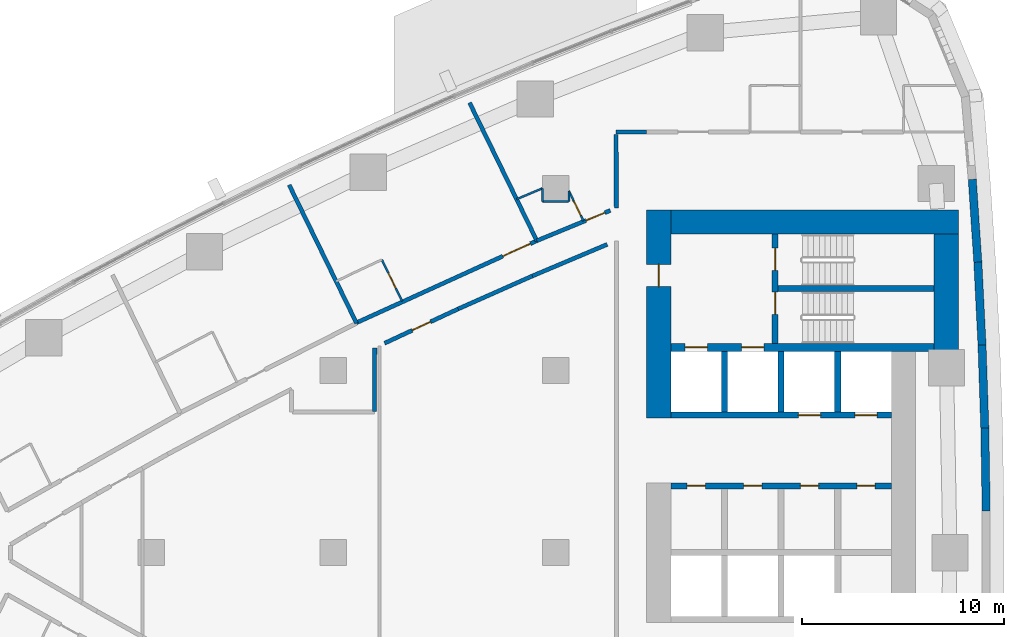
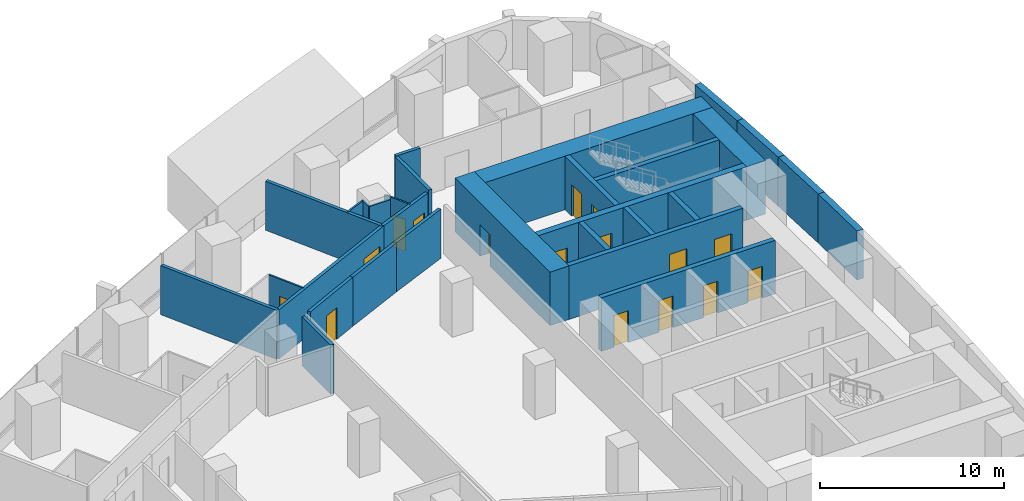
# One storey, part 12 of 18: 31 walls, 16 doors, 16 openings.
"""IFC4 building model written with IfcOpenShell, lengths in metres."""

from ifc_helpers import new_model, si_unit, direction, frame, frame_2d, origin, place, context, subcontext, project, spatial, polyline, rectangle, outline, extrude, material, layer, layer_set, type_object, element, fill, save


model = new_model("IFC4")

# Units and contexts
model_context = context("Model", 3, precision=1e-05, world=origin(), true_north=direction((0.0, 1.0)))
body_context = subcontext(model_context, "Body", "Model", "MODEL_VIEW")
ifc_project = project(units=[si_unit("LENGTHUNIT", "METRE"), si_unit("AREAUNIT", "SQUARE_METRE"), si_unit("VOLUMEUNIT", "CUBIC_METRE"), si_unit("PLANEANGLEUNIT", "RADIAN"), si_unit("MASSUNIT", "GRAM", prefix="KILO")], contexts=[model_context])

# Site, building, storey
site_placement = place(None, origin())
site = spatial("IfcSite", under=ifc_project, at=site_placement, CompositionType="ELEMENT")
building_placement = place(site_placement, origin())
building = spatial("IfcBuilding", under=site, at=building_placement, Name="Ostrand Prow Hotel Tower", CompositionType="ELEMENT")
storey_placement = place(building_placement, frame((0.0, 0.0, 57.35009765625)))
storey = spatial("IfcBuildingStorey", under=building, at=storey_placement, Name="L12", CompositionType="ELEMENT", Elevation=57.35009765625)

# Wall, opening, door
ifc_material_1 = material(Name="Concrete C80/95", Category="concrete")
ifc_layer_1 = layer(ifc_material_1, 1.199951171875)
ifc_layer_set_1 = layer_set([ifc_layer_1], Name="Concrete C80/95")
wall_type_1 = type_object("IfcWallType", Name="Core wall 1200 C80/95", PredefinedType="SHEAR", material=ifc_layer_set_1)
wall_1_placement = place(storey_placement, frame((50.10009765625, 6.64990234375, 0.0), z_axis=(0.0, 0.0, 1.0), x_axis=(0.0, 1.0, 0.0)))
wall_1 = element("IfcWall", 1, at=wall_1_placement, inside=storey, type_object=wall_type_1, Name="Core wall CW-W-N", PredefinedType="SHEAR", context=body_context, shape_type="SweptSolid", body=[
    extrude(rectangle(XDim=10.300048828125, YDim=1.199951171875, at=frame_2d((5.14990234375, 0.0))), origin(), (0.0, 0.0, 1.0), 3.5498046875),
])
opening_1_placement = place(wall_1_placement, frame((6.5, 0.0, 0.0)))
opening_1 = element("IfcOpeningElement", 2, at=opening_1_placement, cuts=wall_1, Name="Opening FD1", PredefinedType="OPENING", context=body_context, shape_type="SweptSolid", body=[
    extrude(rectangle(XDim=1.10009765625, YDim=2.10009765625, at=frame_2d((0.550048828125, 1.050048828125))), frame((0.0, 0.60986328125, 0.0), z_axis=(0.0, -1.0, 0.0), x_axis=(1.0, 0.0, 0.0)), (0.0, 0.0, 1.0), 1.219970703125),
])
ifc_material_2 = material(Name="Steel fire door", Category="steel")
door_type_1 = type_object("IfcDoorType", Name="Fire door 1100 EI120", OperationType="SINGLE_SWING_RIGHT", PredefinedType="DOOR", material=ifc_material_2)
door_1_placement = place(opening_1_placement, origin())
door_1 = element("IfcDoor", 3, at=door_1_placement, inside=storey, type_object=door_type_1, Name="FIRE DOOR", OperationType="SINGLE_SWING_RIGHT", OverallHeight=2.10009765625, OverallWidth=1.10009765625, PredefinedType="DOOR", context=body_context, shape_type="SweptSolid", body=[
    extrude(rectangle(XDim=1.10009765625, YDim=2.10009765625, at=frame_2d((0.550048828125, 1.050048828125))), frame((0.0, 0.02490234375, 0.0), z_axis=(0.0, -1.0, 0.0), x_axis=(1.0, 0.0, 0.0)), (0.0, 0.0, 1.0), 0.050048828125),
])
fill(opening_1, door_1)

# Walls
wall_2_placement = place(storey_placement, frame((50.699951171875, 16.35009765625, 0.0), z_axis=(0.0, 0.0, 1.0), x_axis=(1.0, 0.0, 0.0)))
element("IfcWall", 4, at=wall_2_placement, inside=storey, type_object=wall_type_1, Name="Core wall CW-N", PredefinedType="SHEAR", context=body_context, shape_type="SweptSolid", body=[
    extrude(rectangle(XDim=14.219970703125, YDim=1.199951171875, at=frame_2d((7.10986328125, 0.0))), origin(), (0.0, 0.0, 1.0), 3.5498046875),
])
wall_3_placement = place(storey_placement, frame((64.320068359375, 9.949951171875, 0.0), z_axis=(0.0, 0.0, 1.0), x_axis=(0.0, 1.0, 0.0)))
element("IfcWall", 5, at=wall_3_placement, inside=storey, type_object=wall_type_1, Name="Core wall CW-E-N", PredefinedType="SHEAR", context=body_context, shape_type="SweptSolid", body=[
    extrude(rectangle(XDim=5.800048828125, YDim=1.199951171875, at=frame_2d((2.89990234375, 0.0))), origin(), (0.0, 0.0, 1.0), 3.5498046875),
])

# Wall, openings, doors
ifc_material_3 = material(Name="Concrete C80/95", Category="concrete")
ifc_layer_2 = layer(ifc_material_3, 0.300048828125)
ifc_layer_set_2 = layer_set([ifc_layer_2], Name="Concrete C80/95")
wall_type_2 = type_object("IfcWallType", Name="Core wall 300 C80/95", PredefinedType="SHEAR", material=ifc_layer_set_2)
wall_4_placement = place(storey_placement, frame((50.699951171875, 3.300048828125, 0.0), z_axis=(0.0, 0.0, 1.0), x_axis=(1.0, 0.0, 0.0)))
wall_4 = element("IfcWall", 6, at=wall_4_placement, inside=storey, type_object=wall_type_2, Name="Core wall PW-L1-N", PredefinedType="SHEAR", context=body_context, shape_type="SweptSolid", body=[
    extrude(rectangle(XDim=10.900146484375, YDim=0.300048828125, at=frame_2d((5.4501953125, 0.0))), origin(), (0.0, 0.0, 1.0), 3.5498046875),
])
opening_2_placement = place(wall_4_placement, frame((0.800048828125, 0.0, 0.0)))
opening_2 = element("IfcOpeningElement", 7, at=opening_2_placement, cuts=wall_4, Name="Opening FD2", PredefinedType="OPENING", context=body_context, shape_type="SweptSolid", body=[
    extrude(rectangle(XDim=0.89990234375, YDim=2.10009765625, at=frame_2d((0.449951171875, 1.050048828125))), frame((0.0, 0.159912109375, 0.0), z_axis=(0.0, -1.0, 0.0), x_axis=(1.0, 0.0, 0.0)), (0.0, 0.0, 1.0), 0.320068359375),
])
opening_3_placement = place(wall_4_placement, frame((3.60009765625, 0.0, 0.0)))
opening_3 = element("IfcOpeningElement", 8, at=opening_3_placement, cuts=wall_4, Name="Opening FD2", PredefinedType="OPENING", context=body_context, shape_type="SweptSolid", body=[
    extrude(rectangle(XDim=0.89990234375, YDim=2.10009765625, at=frame_2d((0.449951171875, 1.050048828125))), frame((0.0, 0.159912109375, 0.0), z_axis=(0.0, -1.0, 0.0), x_axis=(1.0, 0.0, 0.0)), (0.0, 0.0, 1.0), 0.320068359375),
])
opening_4_placement = place(wall_4_placement, frame((6.39990234375, 0.0, 0.0)))
opening_4 = element("IfcOpeningElement", 9, at=opening_4_placement, cuts=wall_4, Name="Opening FD2", PredefinedType="OPENING", context=body_context, shape_type="SweptSolid", body=[
    extrude(rectangle(XDim=0.89990234375, YDim=2.10009765625, at=frame_2d((0.449951171875, 1.050048828125))), frame((0.0, 0.159912109375, 0.0), z_axis=(0.0, -1.0, 0.0), x_axis=(1.0, 0.0, 0.0)), (0.0, 0.0, 1.0), 0.320068359375),
])
opening_5_placement = place(wall_4_placement, frame((9.199951171875, 0.0, 0.0)))
opening_5 = element("IfcOpeningElement", 10, at=opening_5_placement, cuts=wall_4, Name="Opening FD2", PredefinedType="OPENING", context=body_context, shape_type="SweptSolid", body=[
    extrude(rectangle(XDim=0.89990234375, YDim=2.10009765625, at=frame_2d((0.449951171875, 1.050048828125))), frame((0.0, 0.159912109375, 0.0), z_axis=(0.0, -1.0, 0.0), x_axis=(1.0, 0.0, 0.0)), (0.0, 0.0, 1.0), 0.320068359375),
])
ifc_material_4 = material(Name="Steel fire door", Category="steel")
door_type_2 = type_object("IfcDoorType", Name="Fire door 900 EI120", OperationType="SINGLE_SWING_LEFT", PredefinedType="DOOR", material=ifc_material_4)
door_2_placement = place(opening_2_placement, origin())
door_2 = element("IfcDoor", 11, at=door_2_placement, inside=storey, type_object=door_type_2, Name="DOOR", OperationType="SINGLE_SWING_LEFT", OverallHeight=2.10009765625, OverallWidth=0.89990234375, PredefinedType="DOOR", context=body_context, shape_type="SweptSolid", body=[
    extrude(rectangle(XDim=0.89990234375, YDim=2.10009765625, at=frame_2d((0.449951171875, 1.050048828125))), frame((0.0, 0.02490234375, 0.0), z_axis=(0.0, -1.0, 0.0), x_axis=(1.0, 0.0, 0.0)), (0.0, 0.0, 1.0), 0.050048828125),
])
fill(opening_2, door_2)
door_3_placement = place(opening_3_placement, origin())
door_3 = element("IfcDoor", 12, at=door_3_placement, inside=storey, type_object=door_type_2, Name="DOOR", OperationType="SINGLE_SWING_LEFT", OverallHeight=2.10009765625, OverallWidth=0.89990234375, PredefinedType="DOOR", context=body_context, shape_type="SweptSolid", body=[
    extrude(rectangle(XDim=0.89990234375, YDim=2.10009765625, at=frame_2d((0.449951171875, 1.050048828125))), frame((0.0, 0.02490234375, 0.0), z_axis=(0.0, -1.0, 0.0), x_axis=(1.0, 0.0, 0.0)), (0.0, 0.0, 1.0), 0.050048828125),
])
fill(opening_3, door_3)
door_4_placement = place(opening_4_placement, origin())
door_4 = element("IfcDoor", 13, at=door_4_placement, inside=storey, type_object=door_type_2, Name="DOOR", OperationType="SINGLE_SWING_LEFT", OverallHeight=2.10009765625, OverallWidth=0.89990234375, PredefinedType="DOOR", context=body_context, shape_type="SweptSolid", body=[
    extrude(rectangle(XDim=0.89990234375, YDim=2.10009765625, at=frame_2d((0.449951171875, 1.050048828125))), frame((0.0, 0.02490234375, 0.0), z_axis=(0.0, -1.0, 0.0), x_axis=(1.0, 0.0, 0.0)), (0.0, 0.0, 1.0), 0.050048828125),
])
fill(opening_4, door_4)
door_5_placement = place(opening_5_placement, origin())
door_5 = element("IfcDoor", 14, at=door_5_placement, inside=storey, type_object=door_type_2, Name="DOOR", OperationType="SINGLE_SWING_LEFT", OverallHeight=2.10009765625, OverallWidth=0.89990234375, PredefinedType="DOOR", context=body_context, shape_type="SweptSolid", body=[
    extrude(rectangle(XDim=0.89990234375, YDim=2.10009765625, at=frame_2d((0.449951171875, 1.050048828125))), frame((0.0, 0.02490234375, 0.0), z_axis=(0.0, -1.0, 0.0), x_axis=(1.0, 0.0, 0.0)), (0.0, 0.0, 1.0), 0.050048828125),
])
fill(opening_5, door_5)

wall_5_placement = place(storey_placement, frame((50.699951171875, 6.800048828125, 0.0), z_axis=(0.0, 0.0, 1.0), x_axis=(1.0, 0.0, 0.0)))
wall_5 = element("IfcWall", 15, at=wall_5_placement, inside=storey, type_object=wall_type_2, Name="Core wall PW-L2-N", PredefinedType="SHEAR", context=body_context, shape_type="SweptSolid", body=[
    extrude(rectangle(XDim=10.900146484375, YDim=0.300048828125, at=frame_2d((5.4501953125, 0.0))), origin(), (0.0, 0.0, 1.0), 3.5498046875),
])
opening_6_placement = place(wall_5_placement, frame((6.300048828125, 0.0, 0.0)))
opening_6 = element("IfcOpeningElement", 16, at=opening_6_placement, cuts=wall_5, Name="Opening LD", PredefinedType="OPENING", context=body_context, shape_type="SweptSolid", body=[
    extrude(rectangle(XDim=1.10009765625, YDim=2.10009765625, at=frame_2d((0.550048828125, 1.050048828125))), frame((0.0, 0.159912109375, 0.0), z_axis=(0.0, -1.0, 0.0), x_axis=(1.0, 0.0, 0.0)), (0.0, 0.0, 1.0), 0.320068359375),
])
opening_7_placement = place(wall_5_placement, frame((9.10009765625, 0.0, 0.0)))
opening_7 = element("IfcOpeningElement", 17, at=opening_7_placement, cuts=wall_5, Name="Opening LD", PredefinedType="OPENING", context=body_context, shape_type="SweptSolid", body=[
    extrude(rectangle(XDim=1.10009765625, YDim=2.10009765625, at=frame_2d((0.550048828125, 1.050048828125))), frame((0.0, 0.159912109375, 0.0), z_axis=(0.0, -1.0, 0.0), x_axis=(1.0, 0.0, 0.0)), (0.0, 0.0, 1.0), 0.320068359375),
])
ifc_material_5 = material(Name="Stainless steel door", Category="steel")
door_type_3 = type_object("IfcDoorType", Name="Lift landing door 1100", OperationType="DOUBLE_DOOR_SLIDING", PredefinedType="DOOR", material=ifc_material_5)
door_6_placement = place(opening_6_placement, origin())
door_6 = element("IfcDoor", 18, at=door_6_placement, inside=storey, type_object=door_type_3, Name="LIFT LANDING DOOR", OperationType="DOUBLE_DOOR_SLIDING", OverallHeight=2.10009765625, OverallWidth=1.10009765625, PredefinedType="DOOR", context=body_context, shape_type="SweptSolid", body=[
    extrude(rectangle(XDim=1.10009765625, YDim=2.10009765625, at=frame_2d((0.550048828125, 1.050048828125))), frame((0.0, 0.02490234375, 0.0), z_axis=(0.0, -1.0, 0.0), x_axis=(1.0, 0.0, 0.0)), (0.0, 0.0, 1.0), 0.050048828125),
])
fill(opening_6, door_6)
door_7_placement = place(opening_7_placement, origin())
door_7 = element("IfcDoor", 19, at=door_7_placement, inside=storey, type_object=door_type_3, Name="LIFT LANDING DOOR", OperationType="DOUBLE_DOOR_SLIDING", OverallHeight=2.10009765625, OverallWidth=1.10009765625, PredefinedType="DOOR", context=body_context, shape_type="SweptSolid", body=[
    extrude(rectangle(XDim=1.10009765625, YDim=2.10009765625, at=frame_2d((0.550048828125, 1.050048828125))), frame((0.0, 0.02490234375, 0.0), z_axis=(0.0, -1.0, 0.0), x_axis=(1.0, 0.0, 0.0)), (0.0, 0.0, 1.0), 0.050048828125),
])
fill(opening_7, door_7)

# Walls
for number, where, z_axis, x_axis, name in (
    (20, (53.35009765625, 6.949951171875, 0.0), (0.0, 0.0, 1.0), (0.0, 1.0, 0.0), "Core wall PW-R1-NA"),
    (21, (56.14990234375, 6.949951171875, 0.0), (0.0, 0.0, 1.0), (0.0, 1.0, 0.0), "Core wall PW-R2-NA"),
    (22, (58.949951171875, 6.949951171875, 0.0), (0.0, 0.0, 1.0), (0.0, 1.0, 0.0), "Core wall PW-R3-NA"),
):
    element("IfcWall", number, at=place(storey_placement, frame(where, z_axis=z_axis, x_axis=x_axis)), inside=storey, type_object=wall_type_2, Name=name, PredefinedType="SHEAR", context=body_context, shape_type="SweptSolid", body=[
        extrude(rectangle(XDim=3.0, YDim=0.300048828125, at=frame_2d((1.5, 0.0))), origin(), (0.0, 0.0, 1.0), 3.5498046875),
    ])

# Wall, openings, doors
wall_6_placement = place(storey_placement, frame((55.85009765625, 10.35009765625, 0.0), z_axis=(0.0, 0.0, 1.0), x_axis=(0.0, 1.0, 0.0)))
wall_6 = element("IfcWall", 23, at=wall_6_placement, inside=storey, type_object=wall_type_2, Name="Core wall PW-VN", PredefinedType="SHEAR", context=body_context, shape_type="SweptSolid", body=[
    extrude(rectangle(XDim=5.39990234375, YDim=0.300048828125, at=frame_2d((2.699951171875, 0.0))), origin(), (0.0, 0.0, 1.0), 3.5498046875),
])
opening_8_placement = place(wall_6_placement, frame((1.429931640625, 0.0, 0.0)))
opening_8 = element("IfcOpeningElement", 24, at=opening_8_placement, cuts=wall_6, Name="Opening FD1", PredefinedType="OPENING", context=body_context, shape_type="SweptSolid", body=[
    extrude(rectangle(XDim=1.10009765625, YDim=2.10009765625, at=frame_2d((0.550048828125, 1.050048828125))), frame((0.0, 0.159912109375, 0.0), z_axis=(0.0, -1.0, 0.0), x_axis=(1.0, 0.0, 0.0)), (0.0, 0.0, 1.0), 0.320068359375),
])
opening_9_placement = place(wall_6_placement, frame((3.60009765625, 0.0, 0.0)))
opening_9 = element("IfcOpeningElement", 25, at=opening_9_placement, cuts=wall_6, Name="Opening FD1", PredefinedType="OPENING", context=body_context, shape_type="SweptSolid", body=[
    extrude(rectangle(XDim=1.10009765625, YDim=2.10009765625, at=frame_2d((0.550048828125, 1.050048828125))), frame((0.0, 0.159912109375, 0.0), z_axis=(0.0, -1.0, 0.0), x_axis=(1.0, 0.0, 0.0)), (0.0, 0.0, 1.0), 0.320068359375),
])
door_8_placement = place(opening_8_placement, origin())
door_8 = element("IfcDoor", 26, at=door_8_placement, inside=storey, type_object=door_type_1, Name="FIRE DOOR", OperationType="SINGLE_SWING_RIGHT", OverallHeight=2.10009765625, OverallWidth=1.10009765625, PredefinedType="DOOR", context=body_context, shape_type="SweptSolid", body=[
    extrude(rectangle(XDim=1.10009765625, YDim=2.10009765625, at=frame_2d((0.550048828125, 1.050048828125))), frame((0.0, 0.02490234375, 0.0), z_axis=(0.0, -1.0, 0.0), x_axis=(1.0, 0.0, 0.0)), (0.0, 0.0, 1.0), 0.050048828125),
])
fill(opening_8, door_8)
door_9_placement = place(opening_9_placement, origin())
door_9 = element("IfcDoor", 27, at=door_9_placement, inside=storey, type_object=door_type_1, Name="FIRE DOOR", OperationType="SINGLE_SWING_RIGHT", OverallHeight=2.10009765625, OverallWidth=1.10009765625, PredefinedType="DOOR", context=body_context, shape_type="SweptSolid", body=[
    extrude(rectangle(XDim=1.10009765625, YDim=2.10009765625, at=frame_2d((0.550048828125, 1.050048828125))), frame((0.0, 0.02490234375, 0.0), z_axis=(0.0, -1.0, 0.0), x_axis=(1.0, 0.0, 0.0)), (0.0, 0.0, 1.0), 0.050048828125),
])
fill(opening_9, door_9)

# Wall
wall_7_placement = place(storey_placement, frame((56.0, 13.050048828125, 0.0), z_axis=(0.0, 0.0, 1.0), x_axis=(1.0, 0.0, 0.0)))
element("IfcWall", 28, at=wall_7_placement, inside=storey, type_object=wall_type_2, Name="Core wall PW-ST13", PredefinedType="SHEAR", context=body_context, shape_type="SweptSolid", body=[
    extrude(rectangle(XDim=7.719970703125, YDim=0.300048828125, at=frame_2d((3.85986328125, 0.0))), origin(), (0.0, 0.0, 1.0), 3.5498046875),
])

# Wall, openings, doors
ifc_material_6 = material(Name="Concrete C80/95", Category="concrete")
ifc_layer_3 = layer(ifc_material_6, 0.39990234375)
ifc_layer_set_3 = layer_set([ifc_layer_3], Name="Concrete C80/95")
wall_type_3 = type_object("IfcWallType", Name="Core wall 400 C80/95", PredefinedType="SHEAR", material=ifc_layer_set_3)
wall_8_placement = place(storey_placement, frame((50.699951171875, 10.14990234375, 0.0), z_axis=(0.0, 0.0, 1.0), x_axis=(1.0, 0.0, 0.0)))
wall_8 = element("IfcWall", 29, at=wall_8_placement, inside=storey, type_object=wall_type_3, Name="Core wall PW-BN", PredefinedType="SHEAR", context=body_context, shape_type="SweptSolid", body=[
    extrude(rectangle(XDim=13.02001953125, YDim=0.39990234375, at=frame_2d((6.510009765625, 0.0))), origin(), (0.0, 0.0, 1.0), 3.5498046875),
])
opening_10_placement = place(wall_8_placement, frame((0.699951171875, 0.0, 0.0)))
opening_10 = element("IfcOpeningElement", 30, at=opening_10_placement, cuts=wall_8, Name="Opening LD", PredefinedType="OPENING", context=body_context, shape_type="SweptSolid", body=[
    extrude(rectangle(XDim=1.10009765625, YDim=2.10009765625, at=frame_2d((0.550048828125, 1.050048828125))), frame((0.0, 0.2099609375, 0.0), z_axis=(0.0, -1.0, 0.0), x_axis=(1.0, 0.0, 0.0)), (0.0, 0.0, 1.0), 0.419921875),
])
opening_11_placement = place(wall_8_placement, frame((3.5, 0.0, 0.0)))
opening_11 = element("IfcOpeningElement", 31, at=opening_11_placement, cuts=wall_8, Name="Opening LD", PredefinedType="OPENING", context=body_context, shape_type="SweptSolid", body=[
    extrude(rectangle(XDim=1.10009765625, YDim=2.10009765625, at=frame_2d((0.550048828125, 1.050048828125))), frame((0.0, 0.2099609375, 0.0), z_axis=(0.0, -1.0, 0.0), x_axis=(1.0, 0.0, 0.0)), (0.0, 0.0, 1.0), 0.419921875),
])
door_10_placement = place(opening_10_placement, origin())
door_10 = element("IfcDoor", 32, at=door_10_placement, inside=storey, type_object=door_type_3, Name="LIFT LANDING DOOR", OperationType="DOUBLE_DOOR_SLIDING", OverallHeight=2.10009765625, OverallWidth=1.10009765625, PredefinedType="DOOR", context=body_context, shape_type="SweptSolid", body=[
    extrude(rectangle(XDim=1.10009765625, YDim=2.10009765625, at=frame_2d((0.550048828125, 1.050048828125))), frame((0.0, 0.02490234375, 0.0), z_axis=(0.0, -1.0, 0.0), x_axis=(1.0, 0.0, 0.0)), (0.0, 0.0, 1.0), 0.050048828125),
])
fill(opening_10, door_10)
door_11_placement = place(opening_11_placement, origin())
door_11 = element("IfcDoor", 33, at=door_11_placement, inside=storey, type_object=door_type_3, Name="LIFT LANDING DOOR", OperationType="DOUBLE_DOOR_SLIDING", OverallHeight=2.10009765625, OverallWidth=1.10009765625, PredefinedType="DOOR", context=body_context, shape_type="SweptSolid", body=[
    extrude(rectangle(XDim=1.10009765625, YDim=2.10009765625, at=frame_2d((0.550048828125, 1.050048828125))), frame((0.0, 0.02490234375, 0.0), z_axis=(0.0, -1.0, 0.0), x_axis=(1.0, 0.0, 0.0)), (0.0, 0.0, 1.0), 0.050048828125),
])
fill(opening_11, door_11)

# Wall, opening, door
ifc_material_7 = material(Name="Plasterboard partition")
ifc_layer_4 = layer(ifc_material_7, 0.10009765625)
ifc_layer_set_4 = layer_set([ifc_layer_4], Name="Plasterboard partition")
wall_type_4 = type_object("IfcWallType", Name="Partition 100 bathroom wall", PredefinedType="PARTITIONING", material=ifc_layer_set_4)
wall_9_placement = place(storey_placement, frame((36.407958984375, 14.48193359375, 0.0), z_axis=(0.0, 0.0, 1.0), x_axis=(0.438271544149, -0.898842618921, 0.0)))
wall_9 = element("IfcWall", 34, at=wall_9_placement, inside=storey, type_object=wall_type_4, Name="BATHROOM WALL", PredefinedType="PARTITIONING", context=body_context, shape_type="SweptSolid", body=[
    extrude(rectangle(XDim=2.27734375, YDim=0.10009765625, at=frame_2d((1.138671875, 0.0))), origin(), (0.0, 0.0, 1.0), 3.25),
])
opening_12_placement = place(wall_9_placement, frame((0.75, 0.0, 0.0)))
opening_12 = element("IfcOpeningElement", 35, at=opening_12_placement, cuts=wall_9, Name="Opening D2", PredefinedType="OPENING", context=body_context, shape_type="SweptSolid", body=[
    extrude(rectangle(XDim=0.800048828125, YDim=2.10009765625, at=frame_2d((0.39990234375, 1.050048828125))), frame((0.0, 0.06005859375, 0.0), z_axis=(0.0, -1.0, 0.0), x_axis=(1.0, 0.0, 0.0)), (0.0, 0.0, 1.0), 0.1201171875),
])
ifc_material_8 = material(Name="Timber door leaf", Category="wood")
door_type_4 = type_object("IfcDoorType", Name="Bathroom door 800", OperationType="SINGLE_SWING_LEFT", PredefinedType="DOOR", material=ifc_material_8)
door_12_placement = place(opening_12_placement, origin())
door_12 = element("IfcDoor", 36, at=door_12_placement, inside=storey, type_object=door_type_4, Name="DOOR", OperationType="SINGLE_SWING_LEFT", OverallHeight=2.10009765625, OverallWidth=0.800048828125, PredefinedType="DOOR", context=body_context, shape_type="SweptSolid", body=[
    extrude(rectangle(XDim=0.800048828125, YDim=2.10009765625, at=frame_2d((0.39990234375, 1.050048828125))), frame((0.0, 0.02490234375, 0.0), z_axis=(0.0, -1.0, 0.0), x_axis=(1.0, 0.0, 0.0)), (0.0, 0.0, 1.0), 0.050048828125),
])
fill(opening_12, door_12)

# Walls
wall_10_placement = place(storey_placement, frame((43.071044921875, 17.47314453125, 0.0), z_axis=(0.0, 0.0, 1.0), x_axis=(0.921313965742, 0.388819465214, 0.0)))
element("IfcWall", 37, at=wall_10_placement, inside=storey, type_object=wall_type_4, Name="BATHROOM WALL", PredefinedType="PARTITIONING", context=body_context, shape_type="SweptSolid", body=[
    extrude(rectangle(XDim=1.38818359375, YDim=0.10009765625, at=frame_2d((0.694091796875, 0.0))), origin(), (0.0, 0.0, 1.0), 3.25),
])
wall_11_placement = place(storey_placement, frame((44.35009765625, 18.012939453125, 0.0), z_axis=(0.0, 0.0, 1.0), x_axis=(0.0, -1.0, 0.0)))
element("IfcWall", 38, at=wall_11_placement, inside=storey, type_object=wall_type_4, Name="BATHROOM WALL", PredefinedType="PARTITIONING", context=body_context, shape_type="SweptSolid", body=[
    extrude(rectangle(XDim=0.660888671875, YDim=0.10009765625, at=frame_2d((0.33056640625, 0.0))), origin(), (0.0, 0.0, 1.0), 3.25),
])
wall_12_placement = place(storey_placement, frame((44.35205078125, 17.35009765625, 0.0), z_axis=(0.0, 0.0, 1.0), x_axis=(1.0, 0.0, 0.0)))
element("IfcWall", 39, at=wall_12_placement, inside=storey, type_object=wall_type_4, Name="BATHROOM WALL", PredefinedType="PARTITIONING", context=body_context, shape_type="SweptSolid", body=[
    extrude(rectangle(XDim=1.2958984375, YDim=0.10009765625, at=frame_2d((0.64794921875, 0.0))), origin(), (0.0, 0.0, 1.0), 3.25),
])
wall_13_placement = place(storey_placement, frame((45.64990234375, 17.35205078125, 0.0), z_axis=(0.0, 0.0, 1.0), x_axis=(0.0, 1.0, 0.0)))
element("IfcWall", 40, at=wall_13_placement, inside=storey, type_object=wall_type_4, Name="BATHROOM WALL", PredefinedType="PARTITIONING", context=body_context, shape_type="SweptSolid", body=[
    extrude(rectangle(XDim=0.535888671875, YDim=0.10009765625, at=frame_2d((0.26806640625, 0.0))), origin(), (0.0, 0.0, 1.0), 3.25),
])

# Wall, opening, door
wall_14_placement = place(storey_placement, frame((45.64990234375, 17.887939453125, 0.0), z_axis=(0.0, 0.0, 1.0), x_axis=(0.438301838547, -0.89882784688, 0.0)))
wall_14 = element("IfcWall", 41, at=wall_14_placement, inside=storey, type_object=wall_type_4, Name="BATHROOM WALL", PredefinedType="PARTITIONING", context=body_context, shape_type="SweptSolid", body=[
    extrude(rectangle(XDim=1.65869140625, YDim=0.10009765625, at=frame_2d((0.829345703125, 0.0))), origin(), (0.0, 0.0, 1.0), 3.25),
])
opening_13_placement = place(wall_14_placement, frame((0.550048828125, 0.0, 0.0)))
opening_13 = element("IfcOpeningElement", 42, at=opening_13_placement, cuts=wall_14, Name="Opening D2", PredefinedType="OPENING", context=body_context, shape_type="SweptSolid", body=[
    extrude(rectangle(XDim=0.800048828125, YDim=2.10009765625, at=frame_2d((0.39990234375, 1.050048828125))), frame((0.0, 0.06005859375, 0.0), z_axis=(0.0, -1.0, 0.0), x_axis=(1.0, 0.0, 0.0)), (0.0, 0.0, 1.0), 0.1201171875),
])
door_13_placement = place(opening_13_placement, origin())
door_13 = element("IfcDoor", 43, at=door_13_placement, inside=storey, type_object=door_type_4, Name="DOOR", OperationType="SINGLE_SWING_LEFT", OverallHeight=2.10009765625, OverallWidth=0.800048828125, PredefinedType="DOOR", context=body_context, shape_type="SweptSolid", body=[
    extrude(rectangle(XDim=0.800048828125, YDim=2.10009765625, at=frame_2d((0.39990234375, 1.050048828125))), frame((0.0, 0.02490234375, 0.0), z_axis=(0.0, -1.0, 0.0), x_axis=(1.0, 0.0, 0.0)), (0.0, 0.0, 1.0), 0.050048828125),
])
fill(opening_13, door_13)

ifc_material_9 = material(Name="Plasterboard partition")
ifc_layer_5 = layer(ifc_material_9, 0.199951171875)
ifc_layer_set_5 = layer_set([ifc_layer_5], Name="Plasterboard partition")
wall_type_5 = type_object("IfcWallType", Name="Partition 200 corridor wall", PredefinedType="PARTITIONING", material=ifc_layer_set_5)
wall_15_placement = place(storey_placement, frame((44.071533203125, 15.420654296875, 0.0), z_axis=(0.0, 0.0, 1.0), x_axis=(-0.910287143541, -0.413977434534, 0.0)))
wall_15 = element("IfcWall", 44, at=wall_15_placement, inside=storey, type_object=wall_type_5, Name="CORRIDOR WALL", PredefinedType="PARTITIONING", context=body_context, shape_type="SweptSolid", body=[
    extrude(rectangle(XDim=9.80322265625, YDim=0.199951171875, at=frame_2d((4.901611328125, 0.0))), origin(), (0.0, 0.0, 1.0), 3.25),
])
opening_14_placement = place(wall_15_placement, frame((0.35009765625, 0.0, 0.0)))
opening_14 = element("IfcOpeningElement", 45, at=opening_14_placement, cuts=wall_15, Name="Opening D15", PredefinedType="OPENING", context=body_context, shape_type="SweptSolid", body=[
    extrude(rectangle(XDim=1.5, YDim=2.10009765625, at=frame_2d((0.75, 1.050048828125))), frame((0.0, 0.10986328125, 0.0), z_axis=(0.0, -1.0, 0.0), x_axis=(1.0, 0.0, 0.0)), (0.0, 0.0, 1.0), 0.219970703125),
])
ifc_material_10 = material(Name="Timber door leaf", Category="wood")
door_type_5 = type_object("IfcDoorType", Name="Double door 1500", OperationType="DOUBLE_DOOR_SINGLE_SWING", PredefinedType="DOOR", material=ifc_material_10)
door_14_placement = place(opening_14_placement, origin())
door_14 = element("IfcDoor", 46, at=door_14_placement, inside=storey, type_object=door_type_5, Name="DOOR", OperationType="DOUBLE_DOOR_SINGLE_SWING", OverallHeight=2.10009765625, OverallWidth=1.5, PredefinedType="DOOR", context=body_context, shape_type="SweptSolid", body=[
    extrude(rectangle(XDim=1.5, YDim=2.10009765625, at=frame_2d((0.75, 1.050048828125))), frame((0.0, 0.02490234375, 0.0), z_axis=(0.0, -1.0, 0.0), x_axis=(1.0, 0.0, 0.0)), (0.0, 0.0, 1.0), 0.050048828125),
])
fill(opening_14, door_14)

wall_16_placement = place(storey_placement, frame((36.5400390625, 10.35107421875, 0.0), z_axis=(0.0, 0.0, 1.0), x_axis=(0.906347708834, 0.42253263861, 0.0)))
wall_16 = element("IfcWall", 47, at=wall_16_placement, inside=storey, type_object=wall_type_5, Name="CORRIDOR WALL", PredefinedType="PARTITIONING", context=body_context, shape_type="SweptSolid", body=[
    extrude(rectangle(XDim=4.015625, YDim=0.199951171875, at=frame_2d((2.0078125, 0.0))), origin(), (0.0, 0.0, 1.0), 3.25),
])
opening_15_placement = place(wall_16_placement, frame((1.5078125, 0.0, 0.0)))
opening_15 = element("IfcOpeningElement", 48, at=opening_15_placement, cuts=wall_16, Name="Opening D1R", PredefinedType="OPENING", context=body_context, shape_type="SweptSolid", body=[
    extrude(rectangle(XDim=1.0, YDim=2.10009765625, at=frame_2d((0.5, 1.050048828125))), frame((0.0, 0.10986328125, 0.0), z_axis=(0.0, -1.0, 0.0), x_axis=(1.0, 0.0, 0.0)), (0.0, 0.0, 1.0), 0.219970703125),
])
ifc_material_11 = material(Name="Timber door leaf", Category="wood")
door_type_6 = type_object("IfcDoorType", Name="Guest room door 1000 right", OperationType="SINGLE_SWING_RIGHT", PredefinedType="DOOR", material=ifc_material_11)
door_15_placement = place(opening_15_placement, origin())
door_15 = element("IfcDoor", 49, at=door_15_placement, inside=storey, type_object=door_type_6, Name="DOOR", OperationType="SINGLE_SWING_RIGHT", OverallHeight=2.10009765625, OverallWidth=1.0, PredefinedType="DOOR", context=body_context, shape_type="SweptSolid", body=[
    extrude(rectangle(XDim=1.0, YDim=2.10009765625, at=frame_2d((0.5, 1.050048828125))), frame((0.0, 0.02490234375, 0.0), z_axis=(0.0, -1.0, 0.0), x_axis=(1.0, 0.0, 0.0)), (0.0, 0.0, 1.0), 0.050048828125),
])
fill(opening_15, door_15)

# Walls
wall_17_placement = place(storey_placement, frame((40.1796875, 12.0478515625, 0.0), z_axis=(0.0, 0.0, 1.0), x_axis=(0.913986953061, 0.405743576209, 0.0)))
element("IfcWall", 50, at=wall_17_placement, inside=storey, type_object=wall_type_5, Name="CORRIDOR WALL", PredefinedType="PARTITIONING", context=body_context, shape_type="SweptSolid", body=[
    extrude(rectangle(XDim=4.015869140625, YDim=0.199951171875, at=frame_2d((2.0078125, 0.0))), origin(), (0.0, 0.0, 1.0), 3.25),
])
wall_18_placement = place(storey_placement, frame((43.85009765625, 13.67724609375, 0.0), z_axis=(0.0, 0.0, 1.0), x_axis=(0.921269894054, 0.388923877269, 0.0)))
element("IfcWall", 51, at=wall_18_placement, inside=storey, type_object=wall_type_5, Name="CORRIDOR WALL", PredefinedType="PARTITIONING", context=body_context, shape_type="SweptSolid", body=[
    extrude(rectangle(XDim=4.015625, YDim=0.199951171875, at=frame_2d((2.0078125, 0.0))), origin(), (0.0, 0.0, 1.0), 3.25),
])

# Wall, opening, door
wall_19_placement = place(storey_placement, frame((47.703857421875, 16.91748046875, 0.0), z_axis=(0.0, 0.0, 1.0), x_axis=(-0.924573816857, -0.381002962169, 0.0)))
wall_19 = element("IfcWall", 52, at=wall_19_placement, inside=storey, type_object=wall_type_5, Name="CORRIDOR WALL", PredefinedType="PARTITIONING", context=body_context, shape_type="SweptSolid", body=[
    extrude(rectangle(XDim=3.9287109375, YDim=0.199951171875, at=frame_2d((1.96435546875, 0.0))), origin(), (0.0, 0.0, 1.0), 3.25),
])
opening_16_placement = place(wall_19_placement, frame((0.300048828125, 0.0, 0.0)))
opening_16 = element("IfcOpeningElement", 53, at=opening_16_placement, cuts=wall_19, Name="Opening D1R", PredefinedType="OPENING", context=body_context, shape_type="SweptSolid", body=[
    extrude(rectangle(XDim=1.0, YDim=2.10009765625, at=frame_2d((0.5, 1.050048828125))), frame((0.0, 0.10986328125, 0.0), z_axis=(0.0, -1.0, 0.0), x_axis=(1.0, 0.0, 0.0)), (0.0, 0.0, 1.0), 0.219970703125),
])
door_16_placement = place(opening_16_placement, origin())
door_16 = element("IfcDoor", 54, at=door_16_placement, inside=storey, type_object=door_type_6, Name="DOOR", OperationType="SINGLE_SWING_RIGHT", OverallHeight=2.10009765625, OverallWidth=1.0, PredefinedType="DOOR", context=body_context, shape_type="SweptSolid", body=[
    extrude(rectangle(XDim=1.0, YDim=2.10009765625, at=frame_2d((0.5, 1.050048828125))), frame((0.0, 0.02490234375, 0.0), z_axis=(0.0, -1.0, 0.0), x_axis=(1.0, 0.0, 0.0)), (0.0, 0.0, 1.0), 0.050048828125),
])
fill(opening_16, door_16)

# Walls
wall_20_placement = place(storey_placement, frame((36.052490234375, 6.985595703125, 0.0), z_axis=(0.0, 0.0, 1.0), x_axis=(0.000781799464, 0.999999694395, 0.0)))
element("IfcWall", 55, at=wall_20_placement, inside=storey, type_object=wall_type_5, Name="CORRIDOR WALL", PredefinedType="PARTITIONING", context=body_context, shape_type="SweptSolid", body=[
    extrude(rectangle(XDim=3.122802734375, YDim=0.199951171875, at=frame_2d((1.5615234375, 0.0))), origin(), (0.0, 0.0, 1.0), 3.25),
])
wall_21_placement = place(storey_placement, frame((49.5, 20.804931640625, 0.0), z_axis=(0.0, 0.0, 1.0), x_axis=(-0.999998933031, -0.001460800259, 0.0)))
element("IfcWall", 56, at=wall_21_placement, inside=storey, type_object=wall_type_5, Name="CORRIDOR WALL", PredefinedType="PARTITIONING", context=body_context, shape_type="SweptSolid", body=[
    extrude(rectangle(XDim=1.504150390625, YDim=0.199951171875, at=frame_2d((0.751953125, 0.0))), origin(), (0.0, 0.0, 1.0), 3.25),
])
wall_22_placement = place(storey_placement, frame((47.995849609375, 20.682861328125, 0.0), z_axis=(0.0, 0.0, 1.0), x_axis=(0.000801763623, -0.999999678587, 0.0)))
element("IfcWall", 57, at=wall_22_placement, inside=storey, type_object=wall_type_5, Name="CORRIDOR WALL", PredefinedType="PARTITIONING", context=body_context, shape_type="SweptSolid", body=[
    extrude(rectangle(XDim=3.654052734375, YDim=0.199951171875, at=frame_2d((1.8271484375, 0.0))), origin(), (0.0, 0.0, 1.0), 3.25),
])
ifc_material_12 = material(Name="Plasterboard partition")
ifc_layer_6 = layer(ifc_material_12, 0.199951171875)
ifc_layer_set_6 = layer_set([ifc_layer_6], Name="Plasterboard partition")
wall_type_6 = type_object("IfcWallType", Name="Partition 200 key partition", PredefinedType="PARTITIONING", material=ifc_layer_set_6)
wall_23_placement = place(storey_placement, frame((35.15625, 11.34423828125, 0.0), z_axis=(0.0, 0.0, 1.0), x_axis=(-0.438196407286, 0.898879251425, 0.0)))
element("IfcWall", 58, at=wall_23_placement, inside=storey, type_object=wall_type_6, Name="KEY PARTITION", PredefinedType="PARTITIONING", context=body_context, shape_type="SweptSolid", body=[
    extrude(rectangle(XDim=7.60009765625, YDim=0.199951171875, at=frame_2d((3.800048828125, 0.0))), origin(), (0.0, 0.0, 1.0), 3.25),
])
wall_24_placement = place(storey_placement, frame((44.080322265625, 15.402587890625, 0.0), z_axis=(0.0, 0.0, 1.0), x_axis=(-0.438196739796, 0.898879089328, 0.0)))
element("IfcWall", 59, at=wall_24_placement, inside=storey, type_object=wall_type_6, Name="KEY PARTITION", PredefinedType="PARTITIONING", context=body_context, shape_type="SweptSolid", body=[
    extrude(rectangle(XDim=7.611083984375, YDim=0.199951171875, at=frame_2d((3.8056640625, 0.0))), origin(), (0.0, 0.0, 1.0), 3.25),
])
ifc_material_13 = material(Name="Precast concrete C40/50", Category="concrete")
ifc_layer_7 = layer(ifc_material_13, 0.39990234375)
ifc_layer_set_7 = layer_set([ifc_layer_7], Name="Precast concrete C40/50")
wall_type_7 = type_object("IfcWallType", Name="Stone-faced precast wall 400 mm", PredefinedType="NOTDEFINED", material=ifc_layer_set_7)
for number, where, z_axis, x_axis, name in (
    (60, (66.29150390625, 2.052490234375, 0.0), (0.0, 0.0, 1.0), (-0.016830829972, 0.999858351549, 0.0), "Stone-faced wall back 11"),
    (61, (66.222412109375, 6.156982421875, 0.0), (0.0, 0.0, 1.0), (-0.033542554696, 0.999437290191, 0.0), "Stone-faced wall back 12"),
    (62, (66.084716796875, 10.259765625, 0.0), (0.0, 0.0, 1.0), (-0.050314326423, 0.998733432181, 0.0), "Stone-faced wall back 13"),
    (63, (65.878173828125, 14.359619140625, 0.0), (0.0, 0.0, 1.0), (-0.067087430225, 0.997747100575, 0.0), "Stone-faced wall back 14"),
):
    element("IfcWall", number, at=place(storey_placement, frame(where, z_axis=z_axis, x_axis=x_axis)), inside=storey, type_object=wall_type_7, Name=name, PredefinedType="NOTDEFINED", context=body_context, shape_type="SweptSolid", body=[
        extrude(outline(polyline([(-0.001708984375, -0.199951171875), (4.106689453125, -0.199951171875), (4.103271484375, 0.199951171875), (0.001708984375, 0.199951171875), (-0.001708984375, -0.199951171875)])), origin(), (0.0, 0.0, 1.0), 3.25),
    ])

save(model, "model.ifc")
